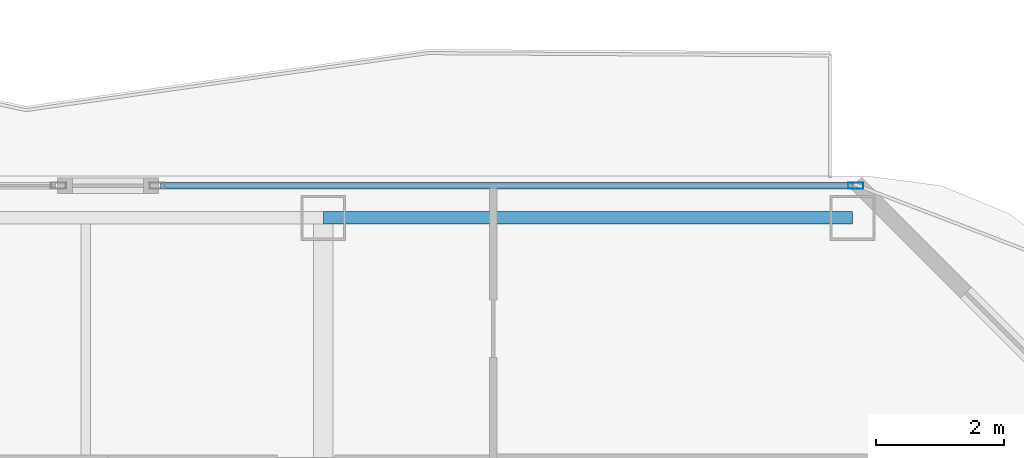
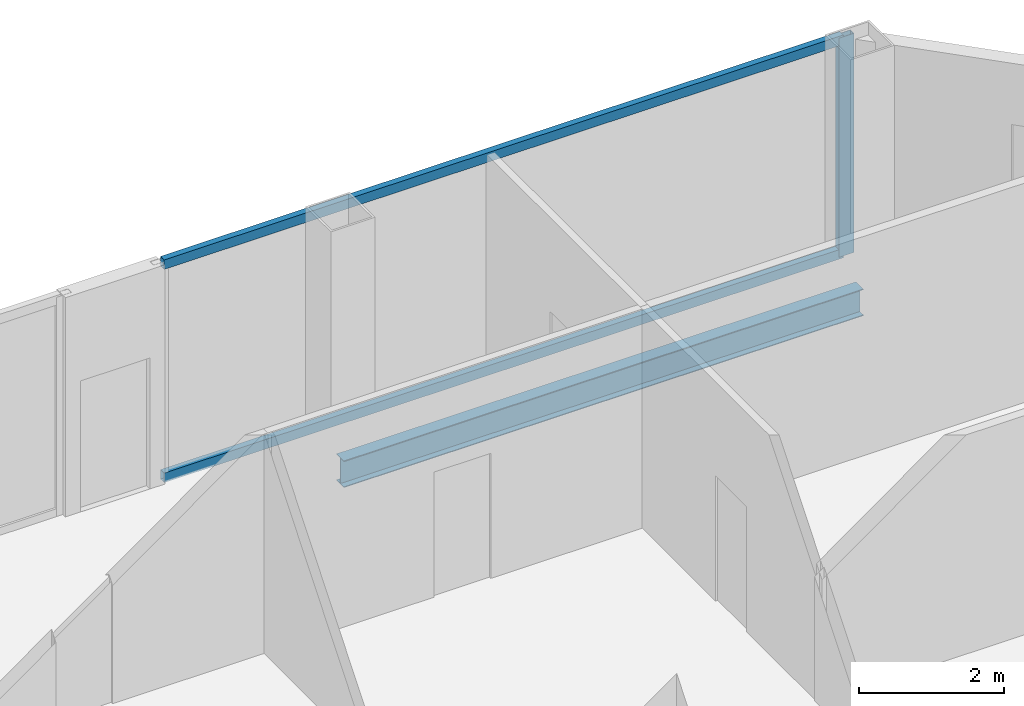
# One storey, part 18 of 27: 3 members, 1 beam, 1 element without a shape of its own.
"""IFC4 building model written with IfcOpenShell, lengths in metres."""

from ifc_helpers import new_model, si_unit, direction, frame, origin, origin_2d, place, context, subcontext, project, spatial, hollow_rectangle, i_section, extrude, material, layer, layer_set, material_profile, profile_set, type_object, element, aggregate, save


model = new_model("IFC4")

# Units and contexts
model_context = context("Model", 3, precision=1e-05, world=origin(), true_north=direction((0.0, 1.0)))
body_context = subcontext(model_context, "Body", "Model", "MODEL_VIEW")
ifc_project = project(units=[si_unit("LENGTHUNIT", "METRE"), si_unit("AREAUNIT", "SQUARE_METRE"), si_unit("VOLUMEUNIT", "CUBIC_METRE"), si_unit("PLANEANGLEUNIT", "RADIAN"), si_unit("MASSUNIT", "GRAM", prefix="KILO")], contexts=[model_context])

# Site, building, storey
site_placement = place(None, origin())
site = spatial("IfcSite", under=ifc_project, at=site_placement, CompositionType="ELEMENT")
building_placement = place(site_placement, origin())
building = spatial("IfcBuilding", under=site, at=building_placement, Name="Khorvyn Point Tower", CompositionType="ELEMENT")
storey_placement = place(building_placement, frame((0.0, 0.0, 129.0)))
storey = spatial("IfcBuildingStorey", under=building, at=storey_placement, Name="L32", CompositionType="ELEMENT", Elevation=129.0)

# Curtain wall, members
ifc_material_1 = material(Name="Anodised aluminium 6063-T6 and laminated Low-E glass", Category="aluminium")
ifc_layer = layer(ifc_material_1, 0.18994140625)
ifc_layer_set = layer_set([ifc_layer], Name="Stick-Built Acoustic Curtain Wall CW-SYS-03")
curtain_wall_type = type_object("IfcCurtainWallType", Name="Stick-Built Acoustic Curtain Wall CW-SYS-03", PredefinedType="NOTDEFINED", material=ifc_layer_set)
curtain_wall_placement = place(storey_placement, origin())
curtain_wall = element("IfcCurtainWall", 1, at=curtain_wall_placement, inside=storey, type_object=curtain_wall_type, Name="Curtain Wall", PredefinedType="NOTDEFINED")
ifc_material_2 = material(Name="Anodised aluminium 6063-T6", Category="aluminium")
ifc_material_profile_1 = material_profile(ifc_material_2, hollow_rectangle(XDim=0.10009765625, YDim=0.239990234375, WallThickness=0.0048828125, at=origin_2d()))
ifc_profile_set_1 = profile_set([ifc_material_profile_1], Name="Anodised aluminium 6063-T6 ALU-MUL-100x240")
member_type_1 = type_object("IfcMemberType", Name="Anodised Aluminium 6063-T6 Mullion ALU-MUL-100x240", PredefinedType="MULLION", material=ifc_profile_set_1)
member_1_placement = place(storey_placement, frame((23.10009765625, 29.449951171875, 0.0), z_axis=(0.0, 0.0, 1.0), x_axis=(0.0, 1.0, 0.0)))
member_1 = element("IfcMember", 2, at=member_1_placement, type_object=member_type_1, Name="Transom", PredefinedType="MULLION", context=body_context, shape_type="SweptSolid", body=[
    extrude(hollow_rectangle(XDim=0.10009765625, YDim=0.239990234375, WallThickness=0.0048828125, at=origin_2d()), origin(), (0.0, 0.0, 1.0), 3.679931640625),
])
ifc_material_profile_2 = material_profile(ifc_material_2, hollow_rectangle(XDim=0.10009765625, YDim=0.159912109375, WallThickness=0.00439453125, at=origin_2d()))
ifc_profile_set_2 = profile_set([ifc_material_profile_2], Name="Anodised aluminium 6063-T6 ALU-TRN-100x160")
member_type_2 = type_object("IfcMemberType", Name="Anodised Aluminium 6063-T6 Transom ALU-TRN-100x160", PredefinedType="USERDEFINED", material=ifc_profile_set_2)
member_2_placement = place(storey_placement, frame((12.263916015625, 29.449951171875, 0.050048828125), z_axis=(1.0, 0.0, 0.0), x_axis=(0.0, 1.0, 0.0)))
member_2 = element("IfcMember", 3, at=member_2_placement, type_object=member_type_2, Name="Transom", ObjectType="TRANSOM", PredefinedType="USERDEFINED", context=body_context, shape_type="SweptSolid", body=[
    extrude(hollow_rectangle(XDim=0.10009765625, YDim=0.159912109375, WallThickness=0.00439453125, at=origin_2d()), origin(), (0.0, 0.0, 1.0), 10.7861328125),
])
member_3_placement = place(storey_placement, frame((12.263916015625, 29.449951171875, 3.6298828125), z_axis=(1.0, 0.0, 0.0), x_axis=(0.0, 1.0, 0.0)))
member_3 = element("IfcMember", 4, at=member_3_placement, type_object=member_type_2, Name="Transom", ObjectType="TRANSOM", PredefinedType="USERDEFINED", context=body_context, shape_type="SweptSolid", body=[
    extrude(hollow_rectangle(XDim=0.10009765625, YDim=0.159912109375, WallThickness=0.00439453125, at=origin_2d()), origin(), (0.0, 0.0, 1.0), 10.7861328125),
])
aggregate(curtain_wall, [member_1, member_2, member_3])

# Beam
ifc_material_3 = material(Name="Steel S355", Category="steel")
ifc_material_profile_3 = material_profile(ifc_material_3, i_section(OverallWidth=0.199951171875, OverallDepth=0.449951171875, WebThickness=0.009033203125, FlangeThickness=0.013916015625, at=origin_2d()))
ifc_profile_set_3 = profile_set([ifc_material_profile_3], Name="Steel S355 H450x200x9x14")
beam_type = type_object("IfcBeamType", Name="Steel S355 Spandrel H450x200x9x14", PredefinedType="SPANDREL", material=ifc_profile_set_3)
beam_placement = place(storey_placement, frame((14.800048828125, 28.949951171875, -0.445068359375), z_axis=(1.0, 0.0, 0.0), x_axis=(0.0, 1.0, 0.0)))
element("IfcBeam", 5, at=beam_placement, inside=storey, type_object=beam_type, Name="Beam", PredefinedType="SPANDREL", context=body_context, shape_type="SweptSolid", body=[
    extrude(i_section(OverallWidth=0.199951171875, OverallDepth=0.449951171875, WebThickness=0.009033203125, FlangeThickness=0.013916015625, at=origin_2d()), origin(), (0.0, 0.0, 1.0), 8.25),
])

save(model, "model.ifc")
